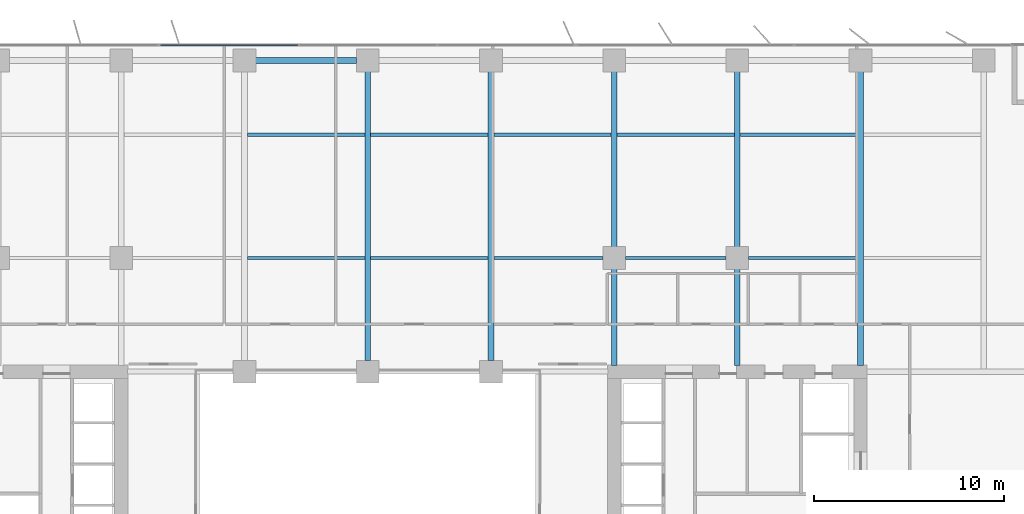
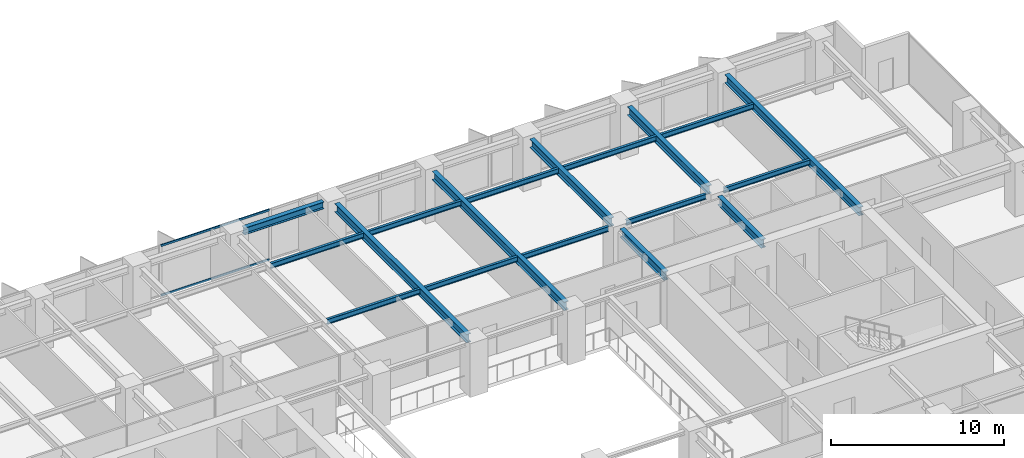
# One storey, part 8 of 20: 18 beams, 2 members, 1 element without a shape of its own.
"""IFC4 building model written with IfcOpenShell, lengths in metres."""

from ifc_helpers import new_model, si_unit, direction, frame, origin, origin_2d, place, context, subcontext, project, spatial, rectangle, i_section, extrude, material, layer, layer_set, material_profile, profile_set, type_object, element, aggregate, save


model = new_model("IFC4")

# Units and contexts
model_context = context("Model", 3, precision=1e-05, world=origin(), true_north=direction((0.0, 1.0)))
body_context = subcontext(model_context, "Body", "Model", "MODEL_VIEW")
ifc_project = project(units=[si_unit("LENGTHUNIT", "METRE"), si_unit("AREAUNIT", "SQUARE_METRE"), si_unit("VOLUMEUNIT", "CUBIC_METRE"), si_unit("PLANEANGLEUNIT", "RADIAN"), si_unit("MASSUNIT", "GRAM", prefix="KILO")], contexts=[model_context])

# Site, building, storey
site_placement = place(None, origin())
site = spatial("IfcSite", under=ifc_project, at=site_placement, CompositionType="ELEMENT")
building_placement = place(site_placement, origin())
building = spatial("IfcBuilding", under=site, at=building_placement, Name="Putna Gate Headquarters", CompositionType="ELEMENT")
storey_placement = place(building_placement, frame((0.0, 0.0, 127.800048828125)))
storey = spatial("IfcBuildingStorey", under=building, at=storey_placement, Name="L31", CompositionType="ELEMENT", Elevation=127.800048828125)

# Beams
ifc_material_1 = material(Name="Steel S355J2", Category="steel")
ifc_material_profile_1 = material_profile(ifc_material_1, i_section(OverallWidth=0.300048828125, OverallDepth=0.60009765625, WebThickness=0.015380859375, FlangeThickness=0.030029296875, at=origin_2d()), Name="Steel S355J2")
ifc_profile_set_1 = profile_set([ifc_material_profile_1], Name="Steel S355J2")
beam_type_1 = type_object("IfcBeamType", Name="BM-GIRD-Z2-HEB600", PredefinedType="USERDEFINED", material=ifc_profile_set_1)
for number, where, z_axis, x_axis, name in (
    (1, (39.0, 33.587890625, 3.264892578125), (0.0, 1.0, 0.0), (-1.0, 0.0, 0.0), "L31 North Primary Girder X39"),
    (2, (45.5, 33.587890625, 3.264892578125), (0.0, 1.0, 0.0), (-1.0, 0.0, 0.0), "L31 North Primary Girder X45"),
):
    element("IfcBeam", number, at=place(storey_placement, frame(where, z_axis=z_axis, x_axis=x_axis)), inside=storey, type_object=beam_type_1, Name=name, ObjectType="GIRDER", PredefinedType="USERDEFINED", context=body_context, shape_type="SweptSolid", body=[
        extrude(i_section(OverallWidth=0.300048828125, OverallDepth=0.60009765625, WebThickness=0.015380859375, FlangeThickness=0.030029296875, at=origin_2d()), origin(), (0.0, 0.0, 1.0), 15.244140625),
    ])
beam_1_placement = place(storey_placement, frame((52.0, 33.3349609375, 3.264892578125), z_axis=(0.0, 1.0, 0.0), x_axis=(-1.0, 0.0, 0.0)))
element("IfcBeam", 3, at=beam_1_placement, inside=storey, type_object=beam_type_1, Name="L31 North Primary Girder X52-1", ObjectType="GIRDER", PredefinedType="USERDEFINED", context=body_context, shape_type="SweptSolid", body=[
    extrude(i_section(OverallWidth=0.300048828125, OverallDepth=0.60009765625, WebThickness=0.015380859375, FlangeThickness=0.030029296875, at=origin_2d()), origin(), (0.0, 0.0, 1.0), 5.0771484375),
])
beam_2_placement = place(storey_placement, frame((52.0, 39.587890625, 3.264892578125), z_axis=(0.0, 1.0, 0.0), x_axis=(-1.0, 0.0, 0.0)))
element("IfcBeam", 4, at=beam_2_placement, inside=storey, type_object=beam_type_1, Name="L31 North Primary Girder X52-2", ObjectType="GIRDER", PredefinedType="USERDEFINED", context=body_context, shape_type="SweptSolid", body=[
    extrude(i_section(OverallWidth=0.300048828125, OverallDepth=0.60009765625, WebThickness=0.015380859375, FlangeThickness=0.030029296875, at=origin_2d()), origin(), (0.0, 0.0, 1.0), 9.244140625),
])
beam_3_placement = place(storey_placement, frame((58.5, 33.3349609375, 3.264892578125), z_axis=(0.0, 1.0, 0.0), x_axis=(-1.0, 0.0, 0.0)))
element("IfcBeam", 5, at=beam_3_placement, inside=storey, type_object=beam_type_1, Name="L31 North Primary Girder X58-1", ObjectType="GIRDER", PredefinedType="USERDEFINED", context=body_context, shape_type="SweptSolid", body=[
    extrude(i_section(OverallWidth=0.300048828125, OverallDepth=0.60009765625, WebThickness=0.015380859375, FlangeThickness=0.030029296875, at=origin_2d()), origin(), (0.0, 0.0, 1.0), 5.0771484375),
])
beam_4_placement = place(storey_placement, frame((58.5, 39.587890625, 3.264892578125), z_axis=(0.0, 1.0, 0.0), x_axis=(-1.0, 0.0, 0.0)))
element("IfcBeam", 6, at=beam_4_placement, inside=storey, type_object=beam_type_1, Name="L31 North Primary Girder X58-2", ObjectType="GIRDER", PredefinedType="USERDEFINED", context=body_context, shape_type="SweptSolid", body=[
    extrude(i_section(OverallWidth=0.300048828125, OverallDepth=0.60009765625, WebThickness=0.015380859375, FlangeThickness=0.030029296875, at=origin_2d()), origin(), (0.0, 0.0, 1.0), 9.244140625),
])
beam_5_placement = place(storey_placement, frame((65.0, 33.3349609375, 3.264892578125), z_axis=(0.0, 1.0, 0.0), x_axis=(-1.0, 0.0, 0.0)))
element("IfcBeam", 7, at=beam_5_placement, inside=storey, type_object=beam_type_1, Name="L31 North Primary Girder X65", ObjectType="GIRDER", PredefinedType="USERDEFINED", context=body_context, shape_type="SweptSolid", body=[
    extrude(i_section(OverallWidth=0.300048828125, OverallDepth=0.60009765625, WebThickness=0.015380859375, FlangeThickness=0.030029296875, at=origin_2d()), origin(), (0.0, 0.0, 1.0), 15.4970703125),
])
ifc_material_profile_2 = material_profile(ifc_material_1, i_section(OverallWidth=0.169921875, OverallDepth=0.360107421875, WebThickness=0.008056640625, FlangeThickness=0.0126953125, at=origin_2d()), Name="Steel S355J2")
ifc_profile_set_2 = profile_set([ifc_material_profile_2], Name="Steel S355J2")
beam_type_2 = type_object("IfcBeamType", Name="BM-SEC-Z2-IPE360", PredefinedType="BEAM", material=ifc_profile_set_2)
for number, where, z_axis, x_axis, name in (
    (8, (32.654052734375, 39.0, 3.385009765625), (1.0, 0.0, 0.0), (0.0, 1.0, 0.0), "L31 North Secondary Beam 5"),
    (9, (32.654052734375, 45.5, 3.385009765625), (1.0, 0.0, 0.0), (0.0, 1.0, 0.0), "L31 North Secondary Beam 5"),
    (10, (39.154052734375, 39.0, 3.385009765625), (1.0, 0.0, 0.0), (0.0, 1.0, 0.0), "L31 North Secondary Beam 6"),
    (11, (39.154052734375, 45.5, 3.385009765625), (1.0, 0.0, 0.0), (0.0, 1.0, 0.0), "L31 North Secondary Beam 6"),
):
    element("IfcBeam", number, at=place(storey_placement, frame(where, z_axis=z_axis, x_axis=x_axis)), inside=storey, type_object=beam_type_2, Name=name, PredefinedType="BEAM", context=body_context, shape_type="SweptSolid", body=[
        extrude(i_section(OverallWidth=0.169921875, OverallDepth=0.360107421875, WebThickness=0.008056640625, FlangeThickness=0.0126953125, at=origin_2d()), origin(), (0.0, 0.0, 1.0), 6.19189453125),
    ])
beam_6_placement = place(storey_placement, frame((45.654052734375, 39.0, 3.385009765625), z_axis=(1.0, 0.0, 0.0), x_axis=(0.0, 1.0, 0.0)))
element("IfcBeam", 12, at=beam_6_placement, inside=storey, type_object=beam_type_2, Name="L31 North Secondary Beam 7", PredefinedType="BEAM", context=body_context, shape_type="SweptSolid", body=[
    extrude(i_section(OverallWidth=0.169921875, OverallDepth=0.360107421875, WebThickness=0.008056640625, FlangeThickness=0.0126953125, at=origin_2d()), origin(), (0.0, 0.0, 1.0), 5.758056640625),
])
beam_7_placement = place(storey_placement, frame((45.654052734375, 45.5, 3.385009765625), z_axis=(1.0, 0.0, 0.0), x_axis=(0.0, 1.0, 0.0)))
element("IfcBeam", 13, at=beam_7_placement, inside=storey, type_object=beam_type_2, Name="L31 North Secondary Beam 7", PredefinedType="BEAM", context=body_context, shape_type="SweptSolid", body=[
    extrude(i_section(OverallWidth=0.169921875, OverallDepth=0.360107421875, WebThickness=0.008056640625, FlangeThickness=0.0126953125, at=origin_2d()), origin(), (0.0, 0.0, 1.0), 6.19189453125),
])
beam_8_placement = place(storey_placement, frame((52.587890625, 39.0, 3.385009765625), z_axis=(1.0, 0.0, 0.0), x_axis=(0.0, 1.0, 0.0)))
element("IfcBeam", 14, at=beam_8_placement, inside=storey, type_object=beam_type_2, Name="L31 North Secondary Beam 8", PredefinedType="BEAM", context=body_context, shape_type="SweptSolid", body=[
    extrude(i_section(OverallWidth=0.169921875, OverallDepth=0.360107421875, WebThickness=0.008056640625, FlangeThickness=0.0126953125, at=origin_2d()), origin(), (0.0, 0.0, 1.0), 5.32421875),
])
beam_9_placement = place(storey_placement, frame((52.154052734375, 45.5, 3.385009765625), z_axis=(1.0, 0.0, 0.0), x_axis=(0.0, 1.0, 0.0)))
element("IfcBeam", 15, at=beam_9_placement, inside=storey, type_object=beam_type_2, Name="L31 North Secondary Beam 8", PredefinedType="BEAM", context=body_context, shape_type="SweptSolid", body=[
    extrude(i_section(OverallWidth=0.169921875, OverallDepth=0.360107421875, WebThickness=0.008056640625, FlangeThickness=0.0126953125, at=origin_2d()), origin(), (0.0, 0.0, 1.0), 6.19189453125),
])
beam_10_placement = place(storey_placement, frame((59.087890625, 39.0, 3.385009765625), z_axis=(1.0, 0.0, 0.0), x_axis=(0.0, 1.0, 0.0)))
element("IfcBeam", 16, at=beam_10_placement, inside=storey, type_object=beam_type_2, Name="L31 North Secondary Beam 9", PredefinedType="BEAM", context=body_context, shape_type="SweptSolid", body=[
    extrude(i_section(OverallWidth=0.169921875, OverallDepth=0.360107421875, WebThickness=0.008056640625, FlangeThickness=0.0126953125, at=origin_2d()), origin(), (0.0, 0.0, 1.0), 5.758056640625),
])
beam_11_placement = place(storey_placement, frame((58.654052734375, 45.5, 3.385009765625), z_axis=(1.0, 0.0, 0.0), x_axis=(0.0, 1.0, 0.0)))
element("IfcBeam", 17, at=beam_11_placement, inside=storey, type_object=beam_type_2, Name="L31 North Secondary Beam 9", PredefinedType="BEAM", context=body_context, shape_type="SweptSolid", body=[
    extrude(i_section(OverallWidth=0.169921875, OverallDepth=0.360107421875, WebThickness=0.008056640625, FlangeThickness=0.0126953125, at=origin_2d()), origin(), (0.0, 0.0, 1.0), 6.19189453125),
])
ifc_material_profile_3 = material_profile(ifc_material_1, i_section(OverallWidth=0.300048828125, OverallDepth=0.489990234375, WebThickness=0.011962890625, FlangeThickness=0.02294921875, at=origin_2d()), Name="Steel S355J2")
ifc_profile_set_3 = profile_set([ifc_material_profile_3], Name="Steel S355J2")
beam_type_3 = type_object("IfcBeamType", Name="BM-SPAN-Z2-HEA500", PredefinedType="SPANDREL", material=ifc_profile_set_3)
beam_12_placement = place(storey_placement, frame((33.087890625, 49.419921875, 3.320068359375), z_axis=(1.0, 0.0, 0.0), x_axis=(0.0, 1.0, 0.0)))
element("IfcBeam", 18, at=beam_12_placement, inside=storey, type_object=beam_type_3, Name="L31 N Perimeter Spandrel 5", PredefinedType="SPANDREL", context=body_context, shape_type="SweptSolid", body=[
    extrude(i_section(OverallWidth=0.300048828125, OverallDepth=0.489990234375, WebThickness=0.011962890625, FlangeThickness=0.02294921875, at=origin_2d()), origin(), (0.0, 0.0, 1.0), 5.32421875),
])

# Curtain wall, members
ifc_material_2 = material(Name="Anodised bronze aluminium curtain wall", Category="aluminium")
ifc_layer = layer(ifc_material_2, 0.179931640625)
ifc_layer_set = layer_set([ifc_layer], Name="Anodised bronze aluminium curtain wall")
curtain_wall_type = type_object("IfcCurtainWallType", Name="CW-SYS-ATR", PredefinedType="USERDEFINED", material=ifc_layer_set)
curtain_wall_placement = place(storey_placement, origin())
curtain_wall = element("IfcCurtainWall", 19, at=curtain_wall_placement, inside=storey, type_object=curtain_wall_type, Name="L31 North Atrium Clear Glazing", ObjectType="ATRIUM GLAZING", PredefinedType="USERDEFINED")
ifc_material_3 = material(Name="Anodised bronze aluminium EN AW-6060", Category="aluminium")
ifc_material_profile_4 = material_profile(ifc_material_3, rectangle(XDim=0.070068359375, YDim=0.139892578125, at=origin_2d()), Name="Anodised bronze aluminium EN AW-6060")
ifc_profile_set_4 = profile_set([ifc_material_profile_4], Name="Anodised bronze aluminium EN AW-6060")
member_type = type_object("IfcMemberType", Name="TRAN-CWT-AT", PredefinedType="USERDEFINED", material=ifc_profile_set_4)
member_1_placement = place(storey_placement, frame((28.070068359375, 50.219970703125, 0.034912109375), z_axis=(1.0, 0.0, 0.0), x_axis=(0.0, 1.0, 0.0)))
member_1 = element("IfcMember", 20, at=member_1_placement, type_object=member_type, Name="CWS-AT transom 1.1", ObjectType="TRANSOM", PredefinedType="USERDEFINED", context=body_context, shape_type="SweptSolid", body=[
    extrude(rectangle(XDim=0.070068359375, YDim=0.139892578125, at=origin_2d()), origin(), (0.0, 0.0, 1.0), 7.228271484375),
])
member_2_placement = place(storey_placement, frame((28.070068359375, 50.219970703125, 3.530029296875), z_axis=(1.0, 0.0, 0.0), x_axis=(0.0, 1.0, 0.0)))
member_2 = element("IfcMember", 21, at=member_2_placement, type_object=member_type, Name="CWS-AT transom 1.2", ObjectType="TRANSOM", PredefinedType="USERDEFINED", context=body_context, shape_type="SweptSolid", body=[
    extrude(rectangle(XDim=0.070068359375, YDim=0.139892578125, at=origin_2d()), origin(), (0.0, 0.0, 1.0), 7.228271484375),
])
aggregate(curtain_wall, [member_1, member_2])

save(model, "model.ifc")
